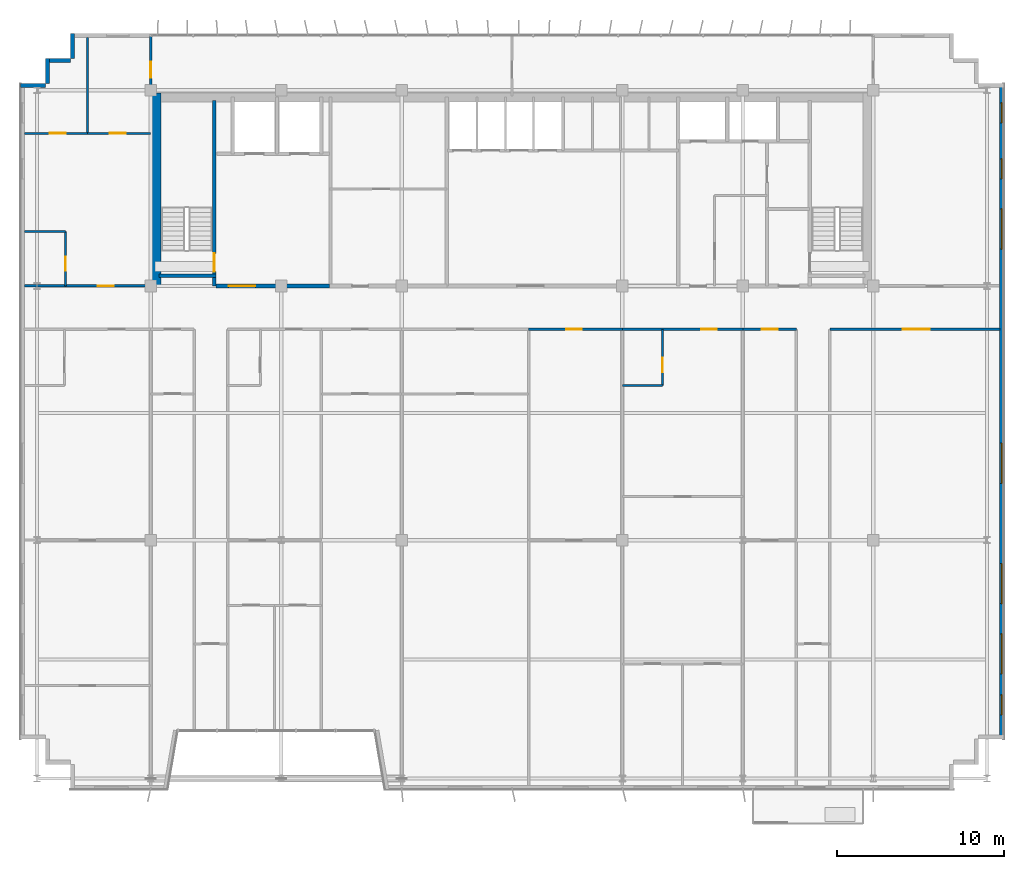
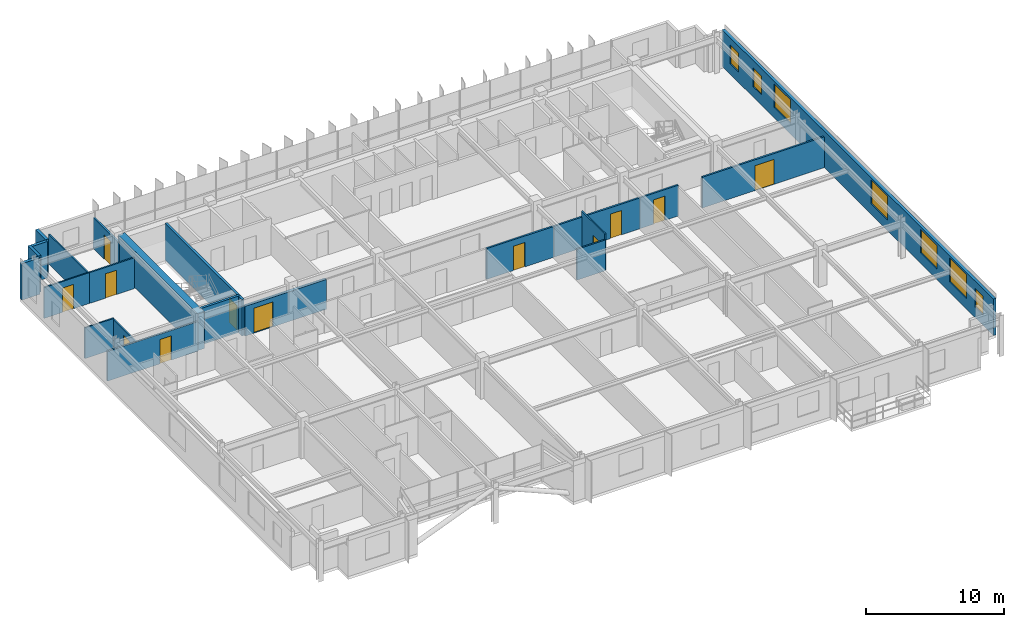
# One storey, part 20 of 24: 22 walls, 12 doors, 7 windows, 19 openings.
"""IFC4 building model written with IfcOpenShell, lengths in metres."""

from ifc_helpers import new_model, si_unit, direction, frame, frame_2d, origin, place, context, subcontext, project, spatial, rectangle, extrude, source, transform, mapped, material, layer, layer_set, type_object, element, fill, save


model = new_model("IFC4")

# Units and contexts
model_context = context("Model", 3, precision=1e-05, world=origin(), true_north=direction((0.0, 1.0)))
body_context = subcontext(model_context, "Body", "Model", "MODEL_VIEW")
ifc_project = project(units=[si_unit("LENGTHUNIT", "METRE"), si_unit("AREAUNIT", "SQUARE_METRE"), si_unit("VOLUMEUNIT", "CUBIC_METRE"), si_unit("PLANEANGLEUNIT", "RADIAN"), si_unit("MASSUNIT", "GRAM", prefix="KILO")], contexts=[model_context])

# Site, building, storey
site_placement = place(None, origin())
site = spatial("IfcSite", under=ifc_project, at=site_placement, CompositionType="ELEMENT")
building_placement = place(site_placement, origin())
building = spatial("IfcBuilding", under=site, at=building_placement, Name="Trelvane Seafront Commons", CompositionType="ELEMENT")
storey_placement = place(building_placement, frame((0.0, 0.0, 178.89990234375)))
storey = spatial("IfcBuildingStorey", under=building, at=storey_placement, Name="L47", CompositionType="ELEMENT", Elevation=178.89990234375)

# Walls
ifc_material_1 = material(Name="Precast concrete C40/50", Category="concrete")
ifc_layer_1 = layer(ifc_material_1, 0.239990234375, Name="ARCH-WALL-EXT240")
ifc_layer_set_1 = layer_set([ifc_layer_1], Name="Precast concrete C40/50")
wall_type_1 = type_object("IfcWallType", Name="ARCH-WALL-EXT240", PredefinedType="SOLIDWALL", material=ifc_layer_set_1)
for number, where, z_axis, x_axis, name in (
    (1, (7.800048828125, 45.3798828125, 0.0), (0.0, 0.0, 1.0), (1.0, 0.0, 0.0), "EW-L47-00939"),
    (2, (9.419921875, 45.5, 0.0), (0.0, 0.0, 1.0), (0.0, 1.0, 0.0), "EW-L47-00940"),
    (3, (9.300048828125, 46.8798828125, 0.0), (0.0, 0.0, 1.0), (1.0, 0.0, 0.0), "EW-L47-00941"),
    (4, (10.919921875, 47.0, 0.0), (0.0, 0.0, 1.0), (0.0, 1.0, 0.0), "EW-L47-00942"),
):
    element("IfcWall", number, at=place(storey_placement, frame(where, z_axis=z_axis, x_axis=x_axis)), inside=storey, type_object=wall_type_1, Name=name, PredefinedType="SOLIDWALL", context=body_context, shape_type="SweptSolid", body=[
        extrude(rectangle(XDim=1.5, YDim=0.239990234375, at=frame_2d((0.75, 0.0))), origin(), (0.0, 0.0, 1.0), 3.22021484375),
    ])

# Wall, openings, windows
wall_1_placement = place(storey_placement, frame((66.47998046875, 45.5, 0.0), z_axis=(0.0, 0.0, 1.0), x_axis=(0.0, -1.0, 0.0)))
wall_1 = element("IfcWall", 5, at=wall_1_placement, inside=storey, type_object=wall_type_1, Name="EW-L47-00947", PredefinedType="SOLIDWALL", context=body_context, shape_type="SweptSolid", body=[
    extrude(rectangle(XDim=39.199951171875, YDim=0.239990234375, at=frame_2d((19.60009765625, 0.0))), origin(), (0.0, 0.0, 1.0), 3.22021484375),
])
opening_1_placement = place(wall_1_placement, frame((36.550048828125, 0.0, 0.919921875)))
opening_1 = element("IfcOpeningElement", 6, at=opening_1_placement, cuts=wall_1, Name="Opening W05", PredefinedType="OPENING", context=body_context, shape_type="SweptSolid", body=[
    extrude(rectangle(XDim=1.199951171875, YDim=1.64990234375, at=frame_2d((0.60009765625, 0.824951171875))), frame((0.0, 0.1298828125, 0.0), z_axis=(0.0, -1.0, 0.0), x_axis=(1.0, 0.0, 0.0)), (0.0, 0.0, 1.0), 0.260009765625),
])
opening_2_placement = place(wall_1_placement, frame((32.89990234375, 0.0, 0.919921875)))
opening_2 = element("IfcOpeningElement", 7, at=opening_2_placement, cuts=wall_1, Name="Opening W08", PredefinedType="OPENING", context=body_context, shape_type="SweptSolid", body=[
    extrude(rectangle(XDim=2.39990234375, YDim=2.10009765625, at=frame_2d((1.199951171875, 1.050048828125))), frame((0.0, 0.1298828125, 0.0), z_axis=(0.0, -1.0, 0.0), x_axis=(1.0, 0.0, 0.0)), (0.0, 0.0, 1.0), 0.260009765625),
])
opening_3_placement = place(wall_1_placement, frame((28.699951171875, 0.0, 0.919921875)))
opening_3 = element("IfcOpeningElement", 8, at=opening_3_placement, cuts=wall_1, Name="Opening W08", PredefinedType="OPENING", context=body_context, shape_type="SweptSolid", body=[
    extrude(rectangle(XDim=2.39990234375, YDim=2.10009765625, at=frame_2d((1.199951171875, 1.050048828125))), frame((0.0, 0.1298828125, 0.0), z_axis=(0.0, -1.0, 0.0), x_axis=(1.0, 0.0, 0.0)), (0.0, 0.0, 1.0), 0.260009765625),
])
opening_4_placement = place(wall_1_placement, frame((21.5, 0.0, 0.919921875)))
opening_4 = element("IfcOpeningElement", 9, at=opening_4_placement, cuts=wall_1, Name="Opening W08", PredefinedType="OPENING", context=body_context, shape_type="SweptSolid", body=[
    extrude(rectangle(XDim=2.39990234375, YDim=2.10009765625, at=frame_2d((1.199951171875, 1.050048828125))), frame((0.0, 0.1298828125, 0.0), z_axis=(0.0, -1.0, 0.0), x_axis=(1.0, 0.0, 0.0)), (0.0, 0.0, 1.0), 0.260009765625),
])
opening_5_placement = place(wall_1_placement, frame((7.5, 0.0, 0.919921875)))
opening_5 = element("IfcOpeningElement", 10, at=opening_5_placement, cuts=wall_1, Name="Opening W08", PredefinedType="OPENING", context=body_context, shape_type="SweptSolid", body=[
    extrude(rectangle(XDim=2.39990234375, YDim=2.10009765625, at=frame_2d((1.199951171875, 1.050048828125))), frame((0.0, 0.1298828125, 0.0), z_axis=(0.0, -1.0, 0.0), x_axis=(1.0, 0.0, 0.0)), (0.0, 0.0, 1.0), 0.260009765625),
])
opening_6_placement = place(wall_1_placement, frame((4.5, 0.0, 0.919921875)))
opening_6 = element("IfcOpeningElement", 11, at=opening_6_placement, cuts=wall_1, Name="Opening W05", PredefinedType="OPENING", context=body_context, shape_type="SweptSolid", body=[
    extrude(rectangle(XDim=1.199951171875, YDim=1.64990234375, at=frame_2d((0.60009765625, 0.824951171875))), frame((0.0, 0.1298828125, 0.0), z_axis=(0.0, -1.0, 0.0), x_axis=(1.0, 0.0, 0.0)), (0.0, 0.0, 1.0), 0.260009765625),
])
opening_7_placement = place(wall_1_placement, frame((1.14990234375, 0.0, 0.919921875)))
opening_7 = element("IfcOpeningElement", 12, at=opening_7_placement, cuts=wall_1, Name="Opening W05", PredefinedType="OPENING", context=body_context, shape_type="SweptSolid", body=[
    extrude(rectangle(XDim=1.199951171875, YDim=1.64990234375, at=frame_2d((0.60009765625, 0.824951171875))), frame((0.0, 0.1298828125, 0.0), z_axis=(0.0, -1.0, 0.0), x_axis=(1.0, 0.0, 0.0)), (0.0, 0.0, 1.0), 0.260009765625),
])
ifc_material_2 = material(Name="Low-E coastal double glazing", Category="glass")
window_type_1 = type_object("IfcWindowType", Name="ARCH-WIN-W08", PartitioningType="SINGLE_PANEL", PredefinedType="WINDOW", material=ifc_material_2)
shared_shape_1 = source(origin(), body_context, "Body", "SweptSolid", [
    extrude(rectangle(XDim=2.39990234375, YDim=2.10009765625, at=frame_2d((1.199951171875, 1.050048828125))), frame((0.0, 0.030029296875, 0.0), z_axis=(0.0, -1.0, 0.0), x_axis=(1.0, 0.0, 0.0)), (0.0, 0.0, 1.0), 0.06005859375),
])
window_1_placement = place(opening_2_placement, origin())
window_1 = element("IfcWindow", 13, at=window_1_placement, inside=storey, type_object=window_type_1, Name="WIN-L47-EW-01121", OverallHeight=2.10009765625, OverallWidth=2.39990234375, PartitioningType="SINGLE_PANEL", PredefinedType="WINDOW", context=body_context, shape_type="MappedRepresentation", body=[
    mapped(shared_shape_1, transform((0.0, 0.0, 0.0), x_axis=(1.0, 0.0, 0.0), y_axis=(0.0, 1.0, 0.0), z_axis=(0.0, 0.0, 1.0), scale=1.0)),
])
fill(opening_2, window_1)
window_2_placement = place(opening_3_placement, origin())
window_2 = element("IfcWindow", 14, at=window_2_placement, inside=storey, type_object=window_type_1, Name="WIN-L47-EW-01122", OverallHeight=2.10009765625, OverallWidth=2.39990234375, PartitioningType="SINGLE_PANEL", PredefinedType="WINDOW", context=body_context, shape_type="MappedRepresentation", body=[
    mapped(shared_shape_1, transform((0.0, 0.0, 0.0), x_axis=(1.0, 0.0, 0.0), y_axis=(0.0, 1.0, 0.0), z_axis=(0.0, 0.0, 1.0), scale=1.0)),
])
fill(opening_3, window_2)
window_3_placement = place(opening_4_placement, origin())
window_3 = element("IfcWindow", 15, at=window_3_placement, inside=storey, type_object=window_type_1, Name="WIN-L47-EW-01123", OverallHeight=2.10009765625, OverallWidth=2.39990234375, PartitioningType="SINGLE_PANEL", PredefinedType="WINDOW", context=body_context, shape_type="MappedRepresentation", body=[
    mapped(shared_shape_1, transform((0.0, 0.0, 0.0), x_axis=(1.0, 0.0, 0.0), y_axis=(0.0, 1.0, 0.0), z_axis=(0.0, 0.0, 1.0), scale=1.0)),
])
fill(opening_4, window_3)
window_4_placement = place(opening_5_placement, origin())
window_4 = element("IfcWindow", 16, at=window_4_placement, inside=storey, type_object=window_type_1, Name="WIN-L47-EW-01124", OverallHeight=2.10009765625, OverallWidth=2.39990234375, PartitioningType="SINGLE_PANEL", PredefinedType="WINDOW", context=body_context, shape_type="MappedRepresentation", body=[
    mapped(shared_shape_1, transform((0.0, 0.0, 0.0), x_axis=(1.0, 0.0, 0.0), y_axis=(0.0, 1.0, 0.0), z_axis=(0.0, 0.0, 1.0), scale=1.0)),
])
fill(opening_5, window_4)
window_type_2 = type_object("IfcWindowType", Name="ARCH-WIN-W05", PartitioningType="SINGLE_PANEL", PredefinedType="WINDOW", material=ifc_material_2)
shared_shape_2 = source(origin(), body_context, "Body", "SweptSolid", [
    extrude(rectangle(XDim=1.199951171875, YDim=1.64990234375, at=frame_2d((0.60009765625, 0.824951171875))), frame((0.0, 0.030029296875, 0.0), z_axis=(0.0, -1.0, 0.0), x_axis=(1.0, 0.0, 0.0)), (0.0, 0.0, 1.0), 0.06005859375),
])
window_5_placement = place(opening_1_placement, origin())
window_5 = element("IfcWindow", 17, at=window_5_placement, inside=storey, type_object=window_type_2, Name="WIN-L47-EW-01120", OverallHeight=1.64990234375, OverallWidth=1.199951171875, PartitioningType="SINGLE_PANEL", PredefinedType="WINDOW", context=body_context, shape_type="MappedRepresentation", body=[
    mapped(shared_shape_2, transform((0.0, 0.0, 0.0), x_axis=(1.0, 0.0, 0.0), y_axis=(0.0, 1.0, 0.0), z_axis=(0.0, 0.0, 1.0), scale=1.0)),
])
fill(opening_1, window_5)
window_6_placement = place(opening_6_placement, origin())
window_6 = element("IfcWindow", 18, at=window_6_placement, inside=storey, type_object=window_type_2, Name="WIN-L47-EW-01125", OverallHeight=1.64990234375, OverallWidth=1.199951171875, PartitioningType="SINGLE_PANEL", PredefinedType="WINDOW", context=body_context, shape_type="MappedRepresentation", body=[
    mapped(shared_shape_2, transform((0.0, 0.0, 0.0), x_axis=(1.0, 0.0, 0.0), y_axis=(0.0, 1.0, 0.0), z_axis=(0.0, 0.0, 1.0), scale=1.0)),
])
fill(opening_6, window_6)
window_7_placement = place(opening_7_placement, origin())
window_7 = element("IfcWindow", 19, at=window_7_placement, inside=storey, type_object=window_type_2, Name="WIN-L47-EW-01126", OverallHeight=1.64990234375, OverallWidth=1.199951171875, PartitioningType="SINGLE_PANEL", PredefinedType="WINDOW", context=body_context, shape_type="MappedRepresentation", body=[
    mapped(shared_shape_2, transform((0.0, 0.0, 0.0), x_axis=(1.0, 0.0, 0.0), y_axis=(0.0, 1.0, 0.0), z_axis=(0.0, 0.0, 1.0), scale=1.0)),
])
fill(opening_7, window_7)

# Wall, opening, door
ifc_material_3 = material(Name="Concrete C40/50", Category="concrete")
ifc_layer_2 = layer(ifc_material_3, 0.25, Name="ARCH-WALL-FIRE250")
ifc_layer_set_2 = layer_set([ifc_layer_2], Name="Concrete C40/50")
wall_type_2 = type_object("IfcWallType", Name="ARCH-WALL-FIRE250", PredefinedType="PARTITIONING", material=ifc_layer_set_2)
wall_2_placement = place(storey_placement, frame((19.5, 33.39990234375, 0.0), z_axis=(0.0, 0.0, 1.0), x_axis=(1.0, 0.0, 0.0)))
wall_2 = element("IfcWall", 20, at=wall_2_placement, inside=storey, type_object=wall_type_2, Name="W-L47-CS-FFL-013", PredefinedType="PARTITIONING", context=body_context, shape_type="SweptSolid", body=[
    extrude(rectangle(XDim=6.800048828125, YDim=0.25, at=frame_2d((3.39990234375, 0.0))), origin(), (0.0, 0.0, 1.0), 2.6201171875),
])
opening_8_placement = place(wall_2_placement, frame((0.75, 0.0, 0.0)))
opening_8 = element("IfcOpeningElement", 21, at=opening_8_placement, cuts=wall_2, Name="Opening FD-L47-05", PredefinedType="OPENING", context=body_context, shape_type="SweptSolid", body=[
    extrude(rectangle(XDim=1.60009765625, YDim=2.199951171875, at=frame_2d((0.800048828125, 1.10009765625))), frame((0.0, 0.135009765625, 0.0), z_axis=(0.0, -1.0, 0.0), x_axis=(1.0, 0.0, 0.0)), (0.0, 0.0, 1.0), 0.27001953125),
])
ifc_material_4 = material(Name="Powder-coated aluminium frame", Category="aluminium")
door_type_1 = type_object("IfcDoorType", Name="ARCH-DR-FD60-1600", OperationType="DOUBLE_DOOR_SINGLE_SWING", PredefinedType="DOOR", material=ifc_material_4)
shared_shape_3 = source(origin(), body_context, "Body", "SweptSolid", [
    extrude(rectangle(XDim=1.60009765625, YDim=2.199951171875, at=frame_2d((0.800048828125, 1.10009765625))), frame((0.0, 0.02490234375, 0.0), z_axis=(0.0, -1.0, 0.0), x_axis=(1.0, 0.0, 0.0)), (0.0, 0.0, 1.0), 0.050048828125),
])
door_1_placement = place(opening_8_placement, origin())
door_1 = element("IfcDoor", 22, at=door_1_placement, inside=storey, type_object=door_type_1, Name="L47 Firefighting Lift Lobby Double Fire Door", OperationType="DOUBLE_DOOR_SINGLE_SWING", OverallHeight=2.199951171875, OverallWidth=1.60009765625, PredefinedType="DOOR", context=body_context, shape_type="MappedRepresentation", body=[
    mapped(shared_shape_3, transform((0.0, 0.0, 0.0), x_axis=(1.0, 0.0, 0.0), y_axis=(0.0, 1.0, 0.0), z_axis=(0.0, 0.0, 1.0), scale=1.0)),
])
fill(opening_8, door_1)

ifc_material_5 = material(Name="Gypsum Drywall Acoustic Partition")
ifc_layer_3 = layer(ifc_material_5, 0.1201171875, Name="ARCH-WALL-PART120")
ifc_layer_set_3 = layer_set([ifc_layer_3], Name="Gypsum Drywall Acoustic Partition")
wall_type_3 = type_object("IfcWallType", Name="ARCH-WALL-PART120", PredefinedType="PARTITIONING", material=ifc_layer_set_3)
wall_3_placement = place(storey_placement, frame((10.5, 33.39990234375, 0.0), z_axis=(0.0, 0.0, 1.0), x_axis=(0.0, 1.0, 0.0)))
wall_3 = element("IfcWall", 23, at=wall_3_placement, inside=storey, type_object=wall_type_3, Name="W-L47-NW-BE-036", PredefinedType="PARTITIONING", context=body_context, shape_type="SweptSolid", body=[
    extrude(rectangle(XDim=3.25, YDim=0.1201171875, at=frame_2d((1.625, 0.0))), origin(), (0.0, 0.0, 1.0), 2.6201171875),
])
opening_9_placement = place(wall_3_placement, frame((0.89990234375, 0.0, 0.0)))
opening_9 = element("IfcOpeningElement", 24, at=opening_9_placement, cuts=wall_3, Name="Opening D-L47-19", PredefinedType="OPENING", context=body_context, shape_type="SweptSolid", body=[
    extrude(rectangle(XDim=0.85009765625, YDim=2.10009765625, at=frame_2d((0.425048828125, 1.050048828125))), frame((0.0, 0.070068359375, 0.0), z_axis=(0.0, -1.0, 0.0), x_axis=(1.0, 0.0, 0.0)), (0.0, 0.0, 1.0), 0.14013671875),
])
ifc_material_6 = material(Name="Acoustic timber door leaf", Category="wood")
door_type_2 = type_object("IfcDoorType", Name="ARCH-DR-INT850", OperationType="NOTDEFINED", PredefinedType="DOOR", material=ifc_material_6)
shared_shape_4 = source(origin(), body_context, "Body", "SweptSolid", [
    extrude(rectangle(XDim=0.85009765625, YDim=2.10009765625, at=frame_2d((0.425048828125, 1.050048828125))), frame((0.0, 0.02490234375, 0.0), z_axis=(0.0, -1.0, 0.0), x_axis=(1.0, 0.0, 0.0)), (0.0, 0.0, 1.0), 0.050048828125),
])
door_2_placement = place(opening_9_placement, origin())
door_2 = element("IfcDoor", 25, at=door_2_placement, inside=storey, type_object=door_type_2, Name="L47 Door 19", OperationType="SINGLE_SWING_LEFT", OverallHeight=2.10009765625, OverallWidth=0.85009765625, PredefinedType="DOOR", context=body_context, shape_type="MappedRepresentation", body=[
    mapped(shared_shape_4, transform((0.0, 0.0, 0.0), x_axis=(1.0, 0.0, 0.0), y_axis=(0.0, 1.0, 0.0), z_axis=(0.0, 0.0, 1.0), scale=1.0)),
])
fill(opening_9, door_2)

# Wall
wall_4_placement = place(storey_placement, frame((8.050048828125, 36.64990234375, 0.0), z_axis=(0.0, 0.0, 1.0), x_axis=(1.0, 0.0, 0.0)))
element("IfcWall", 26, at=wall_4_placement, inside=storey, type_object=wall_type_3, Name="W-L47-NW-BN-037", PredefinedType="PARTITIONING", context=body_context, shape_type="SweptSolid", body=[
    extrude(rectangle(XDim=2.449951171875, YDim=0.1201171875, at=frame_2d((1.22509765625, 0.0))), origin(), (0.0, 0.0, 1.0), 2.72021484375),
])

# Wall, opening, door
wall_5_placement = place(storey_placement, frame((8.050048828125, 42.52001953125, 0.0), z_axis=(0.0, 0.0, 1.0), x_axis=(1.0, 0.0, 0.0)))
wall_5 = element("IfcWall", 27, at=wall_5_placement, inside=storey, type_object=wall_type_3, Name="W-L47-NW-KB1-038", PredefinedType="PARTITIONING", context=body_context, shape_type="SweptSolid", body=[
    extrude(rectangle(XDim=3.77490234375, YDim=0.1201171875, at=frame_2d((1.887451171875, 0.0))), origin(), (0.0, 0.0, 1.0), 2.72021484375),
])
opening_10_placement = place(wall_5_placement, frame((1.506103515625, 0.0, 0.0)))
opening_10 = element("IfcOpeningElement", 28, at=opening_10_placement, cuts=wall_5, Name="Opening D-L47-20", PredefinedType="OPENING", context=body_context, shape_type="SweptSolid", body=[
    extrude(rectangle(XDim=0.949951171875, YDim=2.14990234375, at=frame_2d((0.47509765625, 1.074951171875))), frame((0.0, 0.070068359375, 0.0), z_axis=(0.0, -1.0, 0.0), x_axis=(1.0, 0.0, 0.0)), (0.0, 0.0, 1.0), 0.14013671875),
])
door_type_3 = type_object("IfcDoorType", Name="ARCH-DR-INT950", OperationType="NOTDEFINED", PredefinedType="DOOR", material=ifc_material_6)
shared_shape_5 = source(origin(), body_context, "Body", "SweptSolid", [
    extrude(rectangle(XDim=0.949951171875, YDim=2.14990234375, at=frame_2d((0.47509765625, 1.074951171875))), frame((0.0, 0.02490234375, 0.0), z_axis=(0.0, -1.0, 0.0), x_axis=(1.0, 0.0, 0.0)), (0.0, 0.0, 1.0), 0.050048828125),
])
door_3_placement = place(opening_10_placement, origin())
door_3 = element("IfcDoor", 29, at=door_3_placement, inside=storey, type_object=door_type_3, Name="L47 Door 20", OperationType="SINGLE_SWING_RIGHT", OverallHeight=2.14990234375, OverallWidth=0.949951171875, PredefinedType="DOOR", context=body_context, shape_type="MappedRepresentation", body=[
    mapped(shared_shape_5, transform((0.0, 0.0, 0.0), x_axis=(1.0, 0.0, 0.0), y_axis=(0.0, 1.0, 0.0), z_axis=(0.0, 0.0, 1.0), scale=1.0)),
])
fill(opening_10, door_3)

wall_6_placement = place(storey_placement, frame((11.824951171875, 42.52001953125, 0.0), z_axis=(0.0, 0.0, 1.0), x_axis=(1.0, 0.0, 0.0)))
wall_6 = element("IfcWall", 30, at=wall_6_placement, inside=storey, type_object=wall_type_3, Name="W-L47-NW-KB2-039", PredefinedType="PARTITIONING", context=body_context, shape_type="SweptSolid", body=[
    extrude(rectangle(XDim=3.775146484375, YDim=0.1201171875, at=frame_2d((1.8876953125, 0.0))), origin(), (0.0, 0.0, 1.0), 2.72021484375),
])
opening_11_placement = place(wall_6_placement, frame((1.319091796875, 0.0, 0.0)))
opening_11 = element("IfcOpeningElement", 31, at=opening_11_placement, cuts=wall_6, Name="Opening D-L47-21", PredefinedType="OPENING", context=body_context, shape_type="SweptSolid", body=[
    extrude(rectangle(XDim=0.949951171875, YDim=2.14990234375, at=frame_2d((0.47509765625, 1.074951171875))), frame((0.0, 0.070068359375, 0.0), z_axis=(0.0, -1.0, 0.0), x_axis=(1.0, 0.0, 0.0)), (0.0, 0.0, 1.0), 0.14013671875),
])
door_4_placement = place(opening_11_placement, origin())
door_4 = element("IfcDoor", 32, at=door_4_placement, inside=storey, type_object=door_type_3, Name="L47 Door 21", OperationType="SINGLE_SWING_LEFT", OverallHeight=2.14990234375, OverallWidth=0.949951171875, PredefinedType="DOOR", context=body_context, shape_type="MappedRepresentation", body=[
    mapped(shared_shape_5, transform((0.0, 0.0, 0.0), x_axis=(1.0, 0.0, 0.0), y_axis=(0.0, 1.0, 0.0), z_axis=(0.0, 0.0, 1.0), scale=1.0)),
])
fill(opening_11, door_4)

# Wall
wall_7_placement = place(storey_placement, frame((11.824951171875, 42.52001953125, 0.0), z_axis=(0.0, 0.0, 1.0), x_axis=(0.0, 1.0, 0.0)))
element("IfcWall", 33, at=wall_7_placement, inside=storey, type_object=wall_type_3, Name="W-L47-NW-KBDV-040", PredefinedType="PARTITIONING", context=body_context, shape_type="SweptSolid", body=[
    extrude(rectangle(XDim=5.739990234375, YDim=0.1201171875, at=frame_2d((2.8701171875, 0.0))), origin(), (0.0, 0.0, 1.0), 2.6201171875),
])

# Wall, opening, door
wall_8_placement = place(storey_placement, frame((46.199951171875, 27.449951171875, 0.0), z_axis=(0.0, 0.0, 1.0), x_axis=(0.0, 1.0, 0.0)))
wall_8 = element("IfcWall", 34, at=wall_8_placement, inside=storey, type_object=wall_type_3, Name="W-L47-U8-BE-076", PredefinedType="PARTITIONING", context=body_context, shape_type="SweptSolid", body=[
    extrude(rectangle(XDim=3.35009765625, YDim=0.1201171875, at=frame_2d((1.675048828125, 0.0))), origin(), (0.0, 0.0, 1.0), 3.22021484375),
])
opening_12_placement = place(wall_8_placement, frame((0.800048828125, 0.0, 0.0)))
opening_12 = element("IfcOpeningElement", 35, at=opening_12_placement, cuts=wall_8, Name="Opening D-L47-46", PredefinedType="OPENING", context=body_context, shape_type="SweptSolid", body=[
    extrude(rectangle(XDim=0.85009765625, YDim=2.10009765625, at=frame_2d((0.425048828125, 1.050048828125))), frame((0.0, 0.070068359375, 0.0), z_axis=(0.0, -1.0, 0.0), x_axis=(1.0, 0.0, 0.0)), (0.0, 0.0, 1.0), 0.14013671875),
])
door_5_placement = place(opening_12_placement, origin())
door_5 = element("IfcDoor", 36, at=door_5_placement, inside=storey, type_object=door_type_2, Name="L47 Door 46", OperationType="SINGLE_SWING_RIGHT", OverallHeight=2.10009765625, OverallWidth=0.85009765625, PredefinedType="DOOR", context=body_context, shape_type="MappedRepresentation", body=[
    mapped(shared_shape_4, transform((0.0, 0.0, 0.0), x_axis=(1.0, 0.0, 0.0), y_axis=(0.0, 1.0, 0.0), z_axis=(0.0, 0.0, 1.0), scale=1.0)),
])
fill(opening_12, door_5)

# Wall
wall_9_placement = place(storey_placement, frame((43.800048828125, 27.449951171875, 0.0), z_axis=(0.0, 0.0, 1.0), x_axis=(1.0, 0.0, 0.0)))
element("IfcWall", 37, at=wall_9_placement, inside=storey, type_object=wall_type_3, Name="W-L47-U8-BS-077", PredefinedType="PARTITIONING", context=body_context, shape_type="SweptSolid", body=[
    extrude(rectangle(XDim=2.39990234375, YDim=0.1201171875, at=frame_2d((1.199951171875, 0.0))), origin(), (0.0, 0.0, 1.0), 2.72021484375),
])

# Wall, opening, door
ifc_layer_4 = layer(ifc_material_5, 0.14990234375, Name="ARCH-WALL-PART150")
ifc_layer_set_4 = layer_set([ifc_layer_4], Name="Gypsum Drywall Acoustic Partition")
wall_type_4 = type_object("IfcWallType", Name="ARCH-WALL-PART150", PredefinedType="PARTITIONING", material=ifc_layer_set_4)
wall_10_placement = place(storey_placement, frame((8.050048828125, 33.39990234375, 0.0), z_axis=(0.0, 0.0, 1.0), x_axis=(1.0, 0.0, 0.0)))
wall_10 = element("IfcWall", 38, at=wall_10_placement, inside=storey, type_object=wall_type_4, Name="W-L47-NW-ENT-041", PredefinedType="PARTITIONING", context=body_context, shape_type="SweptSolid", body=[
    extrude(rectangle(XDim=7.550048828125, YDim=0.14990234375, at=frame_2d((3.77490234375, 0.0))), origin(), (0.0, 0.0, 1.0), 2.6201171875),
])
opening_13_placement = place(wall_10_placement, frame((4.375, 0.0, 0.0)))
opening_13 = element("IfcOpeningElement", 39, at=opening_13_placement, cuts=wall_10, Name="Opening FD-L47-22", PredefinedType="OPENING", context=body_context, shape_type="SweptSolid", body=[
    extrude(rectangle(XDim=0.949951171875, YDim=2.14990234375, at=frame_2d((0.47509765625, 1.074951171875))), frame((0.0, 0.0849609375, 0.0), z_axis=(0.0, -1.0, 0.0), x_axis=(1.0, 0.0, 0.0)), (0.0, 0.0, 1.0), 0.169921875),
])
door_type_4 = type_object("IfcDoorType", Name="ARCH-DR-FD60-950", OperationType="NOTDEFINED", PredefinedType="DOOR", material=ifc_material_4)
door_6_placement = place(opening_13_placement, origin())
door_6 = element("IfcDoor", 40, at=door_6_placement, inside=storey, type_object=door_type_4, Name="L47 NW Flat Entrance Door", OperationType="SINGLE_SWING_RIGHT", OverallHeight=2.14990234375, OverallWidth=0.949951171875, PredefinedType="DOOR", context=body_context, shape_type="MappedRepresentation", body=[
    mapped(shared_shape_5, transform((0.0, 0.0, 0.0), x_axis=(1.0, 0.0, 0.0), y_axis=(0.0, 1.0, 0.0), z_axis=(0.0, 0.0, 1.0), scale=1.0)),
])
fill(opening_13, door_6)

wall_11_placement = place(storey_placement, frame((15.60009765625, 44.75, 0.0), z_axis=(0.0, 0.0, 1.0), x_axis=(0.0, 1.0, 0.0)))
wall_11 = element("IfcWall", 41, at=wall_11_placement, inside=storey, type_object=wall_type_4, Name="W-L47-N-LINK-W-044", PredefinedType="PARTITIONING", context=body_context, shape_type="SweptSolid", body=[
    extrude(rectangle(XDim=3.610107421875, YDim=0.14990234375, at=frame_2d((1.80517578125, 0.0))), origin(), (0.0, 0.0, 1.0), 2.72021484375),
])
opening_14_placement = place(wall_11_placement, frame((1.10009765625, 0.0, 0.0)))
opening_14 = element("IfcOpeningElement", 42, at=opening_14_placement, cuts=wall_11, Name="Opening FD-L47-25", PredefinedType="OPENING", context=body_context, shape_type="SweptSolid", body=[
    extrude(rectangle(XDim=0.949951171875, YDim=2.14990234375, at=frame_2d((0.47509765625, 1.074951171875))), frame((0.0, 0.0849609375, 0.0), z_axis=(0.0, -1.0, 0.0), x_axis=(1.0, 0.0, 0.0)), (0.0, 0.0, 1.0), 0.169921875),
])
door_7_placement = place(opening_14_placement, origin())
door_7 = element("IfcDoor", 43, at=door_7_placement, inside=storey, type_object=door_type_4, Name="L47 Door 25", OperationType="SINGLE_SWING_LEFT", OverallHeight=2.14990234375, OverallWidth=0.949951171875, PredefinedType="DOOR", context=body_context, shape_type="MappedRepresentation", body=[
    mapped(shared_shape_5, transform((0.0, 0.0, 0.0), x_axis=(1.0, 0.0, 0.0), y_axis=(0.0, 1.0, 0.0), z_axis=(0.0, 0.0, 1.0), scale=1.0)),
])
fill(opening_14, door_7)

wall_12_placement = place(storey_placement, frame((38.199951171875, 30.800048828125, 0.0), z_axis=(0.0, 0.0, 1.0), x_axis=(1.0, 0.0, 0.0)))
wall_12 = element("IfcWall", 44, at=wall_12_placement, inside=storey, type_object=wall_type_4, Name="W-L47-CS-BAY-7-073", PredefinedType="PARTITIONING", context=body_context, shape_type="SweptSolid", body=[
    extrude(rectangle(XDim=5.60009765625, YDim=0.14990234375, at=frame_2d((2.800048828125, 0.0))), origin(), (0.0, 0.0, 1.0), 2.72021484375),
])
opening_15_placement = place(wall_12_placement, frame((2.23193359375, 0.0, 0.0)))
opening_15 = element("IfcOpeningElement", 45, at=opening_15_placement, cuts=wall_12, Name="Opening FD-L47-43", PredefinedType="OPENING", context=body_context, shape_type="SweptSolid", body=[
    extrude(rectangle(XDim=0.949951171875, YDim=2.14990234375, at=frame_2d((0.47509765625, 1.074951171875))), frame((0.0, 0.0849609375, 0.0), z_axis=(0.0, -1.0, 0.0), x_axis=(1.0, 0.0, 0.0)), (0.0, 0.0, 1.0), 0.169921875),
])
door_8_placement = place(opening_15_placement, origin())
door_8 = element("IfcDoor", 46, at=door_8_placement, inside=storey, type_object=door_type_4, Name="L47 Bay 07 Entrance Door", OperationType="SINGLE_SWING_LEFT", OverallHeight=2.14990234375, OverallWidth=0.949951171875, PredefinedType="DOOR", context=body_context, shape_type="MappedRepresentation", body=[
    mapped(shared_shape_5, transform((0.0, 0.0, 0.0), x_axis=(1.0, 0.0, 0.0), y_axis=(0.0, 1.0, 0.0), z_axis=(0.0, 0.0, 1.0), scale=1.0)),
])
fill(opening_15, door_8)

wall_13_placement = place(storey_placement, frame((43.800048828125, 30.800048828125, 0.0), z_axis=(0.0, 0.0, 1.0), x_axis=(1.0, 0.0, 0.0)))
wall_13 = element("IfcWall", 47, at=wall_13_placement, inside=storey, type_object=wall_type_4, Name="W-L47-CS-BAY-8-078", PredefinedType="PARTITIONING", context=body_context, shape_type="SweptSolid", body=[
    extrude(rectangle(XDim=7.199951171875, YDim=0.14990234375, at=frame_2d((3.60009765625, 0.0))), origin(), (0.0, 0.0, 1.0), 2.72021484375),
])
opening_16_placement = place(wall_13_placement, frame((4.7060546875, 0.0, 0.0)))
opening_16 = element("IfcOpeningElement", 48, at=opening_16_placement, cuts=wall_13, Name="Opening FD-L47-47", PredefinedType="OPENING", context=body_context, shape_type="SweptSolid", body=[
    extrude(rectangle(XDim=0.949951171875, YDim=2.14990234375, at=frame_2d((0.47509765625, 1.074951171875))), frame((0.0, 0.0849609375, 0.0), z_axis=(0.0, -1.0, 0.0), x_axis=(1.0, 0.0, 0.0)), (0.0, 0.0, 1.0), 0.169921875),
])
door_9_placement = place(opening_16_placement, origin())
door_9 = element("IfcDoor", 49, at=door_9_placement, inside=storey, type_object=door_type_4, Name="L47 Unit 08 Entrance Door", OperationType="SINGLE_SWING_LEFT", OverallHeight=2.14990234375, OverallWidth=0.949951171875, PredefinedType="DOOR", context=body_context, shape_type="MappedRepresentation", body=[
    mapped(shared_shape_5, transform((0.0, 0.0, 0.0), x_axis=(1.0, 0.0, 0.0), y_axis=(0.0, 1.0, 0.0), z_axis=(0.0, 0.0, 1.0), scale=1.0)),
])
fill(opening_16, door_9)

wall_14_placement = place(storey_placement, frame((51.0, 30.800048828125, 0.0), z_axis=(0.0, 0.0, 1.0), x_axis=(1.0, 0.0, 0.0)))
wall_14 = element("IfcWall", 50, at=wall_14_placement, inside=storey, type_object=wall_type_4, Name="W-L47-CS-BAY-9-082", PredefinedType="PARTITIONING", context=body_context, shape_type="SweptSolid", body=[
    extrude(rectangle(XDim=3.199951171875, YDim=0.14990234375, at=frame_2d((1.60009765625, 0.0))), origin(), (0.0, 0.0, 1.0), 2.72021484375),
])
opening_17_placement = place(wall_14_placement, frame((1.125, 0.0, 0.0)))
opening_17 = element("IfcOpeningElement", 51, at=opening_17_placement, cuts=wall_14, Name="Opening FD-L47-50", PredefinedType="OPENING", context=body_context, shape_type="SweptSolid", body=[
    extrude(rectangle(XDim=0.949951171875, YDim=2.14990234375, at=frame_2d((0.47509765625, 1.074951171875))), frame((0.0, 0.0849609375, 0.0), z_axis=(0.0, -1.0, 0.0), x_axis=(1.0, 0.0, 0.0)), (0.0, 0.0, 1.0), 0.169921875),
])
door_10_placement = place(opening_17_placement, origin())
door_10 = element("IfcDoor", 52, at=door_10_placement, inside=storey, type_object=door_type_4, Name="L47 Bay 09 Entrance Door", OperationType="SINGLE_SWING_RIGHT", OverallHeight=2.14990234375, OverallWidth=0.949951171875, PredefinedType="DOOR", context=body_context, shape_type="MappedRepresentation", body=[
    mapped(shared_shape_5, transform((0.0, 0.0, 0.0), x_axis=(1.0, 0.0, 0.0), y_axis=(0.0, 1.0, 0.0), z_axis=(0.0, 0.0, 1.0), scale=1.0)),
])
fill(opening_17, door_10)

wall_15_placement = place(storey_placement, frame((56.199951171875, 30.800048828125, 0.0), z_axis=(0.0, 0.0, 1.0), x_axis=(1.0, 0.0, 0.0)))
wall_15 = element("IfcWall", 53, at=wall_15_placement, inside=storey, type_object=wall_type_4, Name="W-L47-CS-BAY-11-087", PredefinedType="PARTITIONING", context=body_context, shape_type="SweptSolid", body=[
    extrude(rectangle(XDim=10.175048828125, YDim=0.14990234375, at=frame_2d((5.08740234375, 0.0))), origin(), (0.0, 0.0, 1.0), 2.72021484375),
])
opening_18_placement = place(wall_15_placement, frame((4.3779296875, 0.0, 0.0)))
opening_18 = element("IfcOpeningElement", 54, at=opening_18_placement, cuts=wall_15, Name="Opening D-L47-53", PredefinedType="OPENING", context=body_context, shape_type="SweptSolid", body=[
    extrude(rectangle(XDim=1.60009765625, YDim=2.199951171875, at=frame_2d((0.800048828125, 1.10009765625))), frame((0.0, 0.0849609375, 0.0), z_axis=(0.0, -1.0, 0.0), x_axis=(1.0, 0.0, 0.0)), (0.0, 0.0, 1.0), 0.169921875),
])
door_type_5 = type_object("IfcDoorType", Name="ARCH-DR-GLZ1600", OperationType="DOUBLE_DOOR_SINGLE_SWING", PredefinedType="DOOR", material=ifc_material_6)
door_11_placement = place(opening_18_placement, origin())
door_11 = element("IfcDoor", 55, at=door_11_placement, inside=storey, type_object=door_type_5, Name="L47 Commons Lounge 11 Door", OperationType="DOUBLE_DOOR_SINGLE_SWING", OverallHeight=2.199951171875, OverallWidth=1.60009765625, PredefinedType="DOOR", context=body_context, shape_type="MappedRepresentation", body=[
    mapped(shared_shape_3, transform((0.0, 0.0, 0.0), x_axis=(1.0, 0.0, 0.0), y_axis=(0.0, 1.0, 0.0), z_axis=(0.0, 0.0, 1.0), scale=1.0)),
])
fill(opening_18, door_11)

# Walls
ifc_material_7 = material(Name="Concrete C50/60", Category="concrete")
ifc_layer_5 = layer(ifc_material_7, 0.550048828125, Name="STR-WALL-CORE550")
ifc_layer_set_5 = layer_set([ifc_layer_5], Name="Concrete C50/60")
wall_type_5 = type_object("IfcWallType", Name="STR-WALL-CORE550", PredefinedType="SHEAR", material=ifc_layer_set_5)
wall_16_placement = place(storey_placement, frame((15.925048828125, 33.39990234375, 0.0), z_axis=(0.0, 0.0, 1.0), x_axis=(0.0, 1.0, 0.0)))
element("IfcWall", 56, at=wall_16_placement, inside=storey, type_object=wall_type_5, Name="W-L47-CW-END-002", PredefinedType="SHEAR", context=body_context, shape_type="SweptSolid", body=[
    extrude(rectangle(XDim=11.550048828125, YDim=0.550048828125, at=frame_2d((5.77490234375, 0.0))), origin(), (0.0, 0.0, 1.0), 3.22021484375),
])
ifc_layer_6 = layer(ifc_material_7, 0.199951171875, Name="STR-WALL-STAIR200")
ifc_layer_set_6 = layer_set([ifc_layer_6], Name="Concrete C50/60")
wall_type_6 = type_object("IfcWallType", Name="STR-WALL-STAIR200", PredefinedType="SHEAR", material=ifc_layer_set_6)
wall_17_placement = place(storey_placement, frame((16.10009765625, 34.0, 0.0), z_axis=(0.0, 0.0, 1.0), x_axis=(1.0, 0.0, 0.0)))
element("IfcWall", 57, at=wall_17_placement, inside=storey, type_object=wall_type_6, Name="W-L47-ST1-S-004", PredefinedType="SHEAR", context=body_context, shape_type="SweptSolid", body=[
    extrude(rectangle(XDim=3.39990234375, YDim=0.199951171875, at=frame_2d((1.699951171875, 0.0))), origin(), (0.0, 0.0, 1.0), 3.22021484375),
])

# Wall, opening, door
wall_18_placement = place(storey_placement, frame((19.39990234375, 33.39990234375, 0.0), z_axis=(0.0, 0.0, 1.0), x_axis=(0.0, 1.0, 0.0)))
wall_18 = element("IfcWall", 58, at=wall_18_placement, inside=storey, type_object=wall_type_6, Name="W-L47-ST1-E-005", PredefinedType="SHEAR", context=body_context, shape_type="SweptSolid", body=[
    extrude(rectangle(XDim=11.10009765625, YDim=0.199951171875, at=frame_2d((5.550048828125, 0.0))), origin(), (0.0, 0.0, 1.0), 3.22021484375),
])
opening_19_placement = place(wall_18_placement, frame((0.85009765625, 0.0, 0.0)))
opening_19 = element("IfcOpeningElement", 59, at=opening_19_placement, cuts=wall_18, Name="Opening ST-D1-L47", PredefinedType="OPENING", context=body_context, shape_type="SweptSolid", body=[
    extrude(rectangle(XDim=1.10009765625, YDim=2.14990234375, at=frame_2d((0.550048828125, 1.074951171875))), frame((0.0, 0.10986328125, 0.0), z_axis=(0.0, -1.0, 0.0), x_axis=(1.0, 0.0, 0.0)), (0.0, 0.0, 1.0), 0.219970703125),
])
door_type_6 = type_object("IfcDoorType", Name="ARCH-DR-FD90-1100", OperationType="NOTDEFINED", PredefinedType="DOOR", material=ifc_material_4)
shared_shape_6 = source(origin(), body_context, "Body", "SweptSolid", [
    extrude(rectangle(XDim=1.10009765625, YDim=2.14990234375, at=frame_2d((0.550048828125, 1.074951171875))), frame((0.0, 0.02490234375, 0.0), z_axis=(0.0, -1.0, 0.0), x_axis=(1.0, 0.0, 0.0)), (0.0, 0.0, 1.0), 0.050048828125),
])
door_12_placement = place(opening_19_placement, origin())
door_12 = element("IfcDoor", 60, at=door_12_placement, inside=storey, type_object=door_type_6, Name="L47 Stair ST-1 Lobby Fire Door", OperationType="SINGLE_SWING_LEFT", OverallHeight=2.14990234375, OverallWidth=1.10009765625, PredefinedType="DOOR", context=body_context, shape_type="MappedRepresentation", body=[
    mapped(shared_shape_6, transform((0.0, 0.0, 0.0), x_axis=(1.0, 0.0, 0.0), y_axis=(0.0, 1.0, 0.0), z_axis=(0.0, 0.0, 1.0), scale=1.0)),
])
fill(opening_19, door_12)

save(model, "model.ifc")
